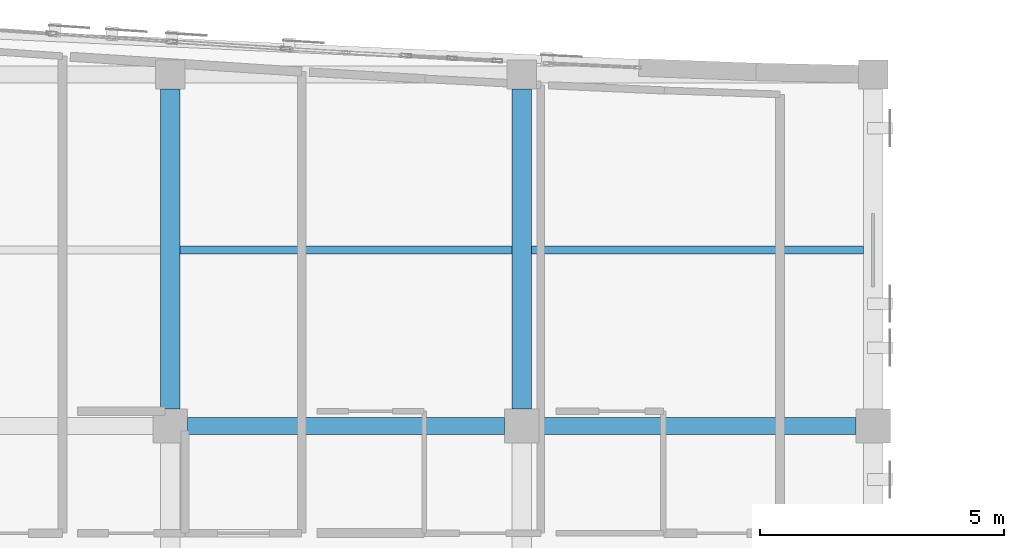
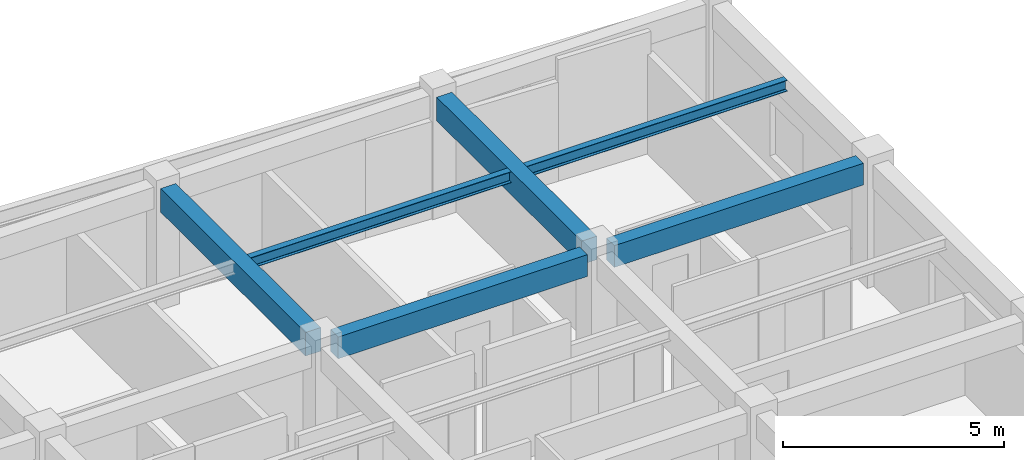
# One storey, part 37 of 73: 6 beams.
"""IFC4 building model written with IfcOpenShell, lengths in metres."""

from ifc_helpers import new_model, si_unit, direction, frame, origin, origin_2d, place, context, subcontext, project, spatial, rectangle, i_section, extrude, material, material_profile, profile_set, type_object, element, save


model = new_model("IFC4")

# Units and contexts
model_context = context("Model", 3, precision=1e-05, world=origin(), true_north=direction((0.0, 1.0)))
body_context = subcontext(model_context, "Body", "Model", "MODEL_VIEW")
ifc_project = project(units=[si_unit("LENGTHUNIT", "METRE"), si_unit("AREAUNIT", "SQUARE_METRE"), si_unit("VOLUMEUNIT", "CUBIC_METRE"), si_unit("PLANEANGLEUNIT", "RADIAN"), si_unit("MASSUNIT", "GRAM", prefix="KILO")], contexts=[model_context])

# Site, building, storey
site_placement = place(None, origin())
site = spatial("IfcSite", under=ifc_project, at=site_placement, CompositionType="ELEMENT")
building_placement = place(site_placement, origin())
building = spatial("IfcBuilding", under=site, at=building_placement, Name="Carrowvane Square Congress Hotel", CompositionType="ELEMENT")
storey_placement = place(building_placement, frame((0.0, 0.0, 19.199951171875)))
storey = spatial("IfcBuildingStorey", under=building, at=storey_placement, Name="L04", CompositionType="ELEMENT", Elevation=19.199951171875)

# Beams
ifc_material_1 = material(Name="Concrete C35/45", Category="concrete")
ifc_material_profile_1 = material_profile(ifc_material_1, rectangle(XDim=0.35009765625, YDim=0.60009765625, at=origin_2d()), Name="RC 350x600")
ifc_profile_set_1 = profile_set([ifc_material_profile_1], Name="Concrete C35/45")
beam_type_1 = type_object("IfcBeamType", Name="BM-RC-350x600", PredefinedType="BEAM", material=ifc_profile_set_1)
for number, where, z_axis, x_axis, name in (
    (1, (148.75, 106.199951171875, 3.050048828125), (1.0, 0.0, 0.0), (0.0, 1.0, 0.0), "L05 girder Q/20-21"),
    (2, (155.949951171875, 106.199951171875, 3.050048828125), (1.0, 0.0, 0.0), (0.0, 1.0, 0.0), "L05 girder Q/21-22"),
):
    element("IfcBeam", number, at=place(storey_placement, frame(where, z_axis=z_axis, x_axis=x_axis)), inside=storey, type_object=beam_type_1, Name=name, PredefinedType="BEAM", context=body_context, shape_type="SweptSolid", body=[
        extrude(rectangle(XDim=0.35009765625, YDim=0.60009765625, at=origin_2d()), origin(), (0.0, 0.0, 1.0), 6.5),
    ])
ifc_material_2 = material(Name="Concrete C35/45", Category="concrete")
ifc_material_profile_2 = material_profile(ifc_material_2, rectangle(XDim=0.39990234375, YDim=0.64990234375, at=origin_2d()), Name="RC 400x650")
ifc_profile_set_2 = profile_set([ifc_material_profile_2], Name="Concrete C35/45")
beam_type_2 = type_object("IfcBeamType", Name="BM-RC-400x650", PredefinedType="BEAM", material=ifc_profile_set_2)
for number, where, z_axis, x_axis, name in (
    (3, (148.39990234375, 106.550048828125, 3.025146484375), (0.0, 1.0, 0.0), (-1.0, 0.0, 0.0), "L05 girder 20/Q-R"),
    (4, (155.60009765625, 106.550048828125, 3.025146484375), (0.0, 1.0, 0.0), (-1.0, 0.0, 0.0), "L05 girder 21/Q-R"),
):
    element("IfcBeam", number, at=place(storey_placement, frame(where, z_axis=z_axis, x_axis=x_axis)), inside=storey, type_object=beam_type_2, Name=name, PredefinedType="BEAM", context=body_context, shape_type="SweptSolid", body=[
        extrude(rectangle(XDim=0.39990234375, YDim=0.64990234375, at=origin_2d()), origin(), (0.0, 0.0, 1.0), 6.550048828125),
    ])
ifc_material_3 = material(Name="Steel S355", Category="steel")
ifc_material_profile_3 = material_profile(ifc_material_3, i_section(OverallWidth=0.165771484375, OverallDepth=0.306640625, WebThickness=0.006591796875, FlangeThickness=0.01171875, FilletRadius=0.0087890625, at=origin_2d()), Name="UKB 305x165x46")
ifc_profile_set_3 = profile_set([ifc_material_profile_3], Name="Steel S355")
beam_type_3 = type_object("IfcBeamType", Name="BM-ST-UKB305", PredefinedType="JOIST", material=ifc_profile_set_3)
beam_1_placement = place(storey_placement, frame((148.60009765625, 109.800048828125, 3.19677734375), z_axis=(1.0, 0.0, 0.0), x_axis=(0.0, 1.0, 0.0)))
element("IfcBeam", 5, at=beam_1_placement, inside=storey, type_object=beam_type_3, Name="L05 secondary joist 20-21", PredefinedType="JOIST", context=body_context, shape_type="SweptSolid", body=[
    extrude(i_section(OverallWidth=0.165771484375, OverallDepth=0.306640625, WebThickness=0.006591796875, FlangeThickness=0.01171875, FilletRadius=0.0087890625, at=origin_2d()), origin(), (0.0, 0.0, 1.0), 6.7998046875),
])
beam_2_placement = place(storey_placement, frame((155.800048828125, 109.800048828125, 3.19677734375), z_axis=(1.0, 0.0, 0.0), x_axis=(0.0, 1.0, 0.0)))
element("IfcBeam", 6, at=beam_2_placement, inside=storey, type_object=beam_type_3, Name="L05 secondary joist 21-22", PredefinedType="JOIST", context=body_context, shape_type="SweptSolid", body=[
    extrude(i_section(OverallWidth=0.165771484375, OverallDepth=0.306640625, WebThickness=0.006591796875, FlangeThickness=0.01171875, FilletRadius=0.0087890625, at=origin_2d()), origin(), (0.0, 0.0, 1.0), 6.800048828125),
])

save(model, "model.ifc")
